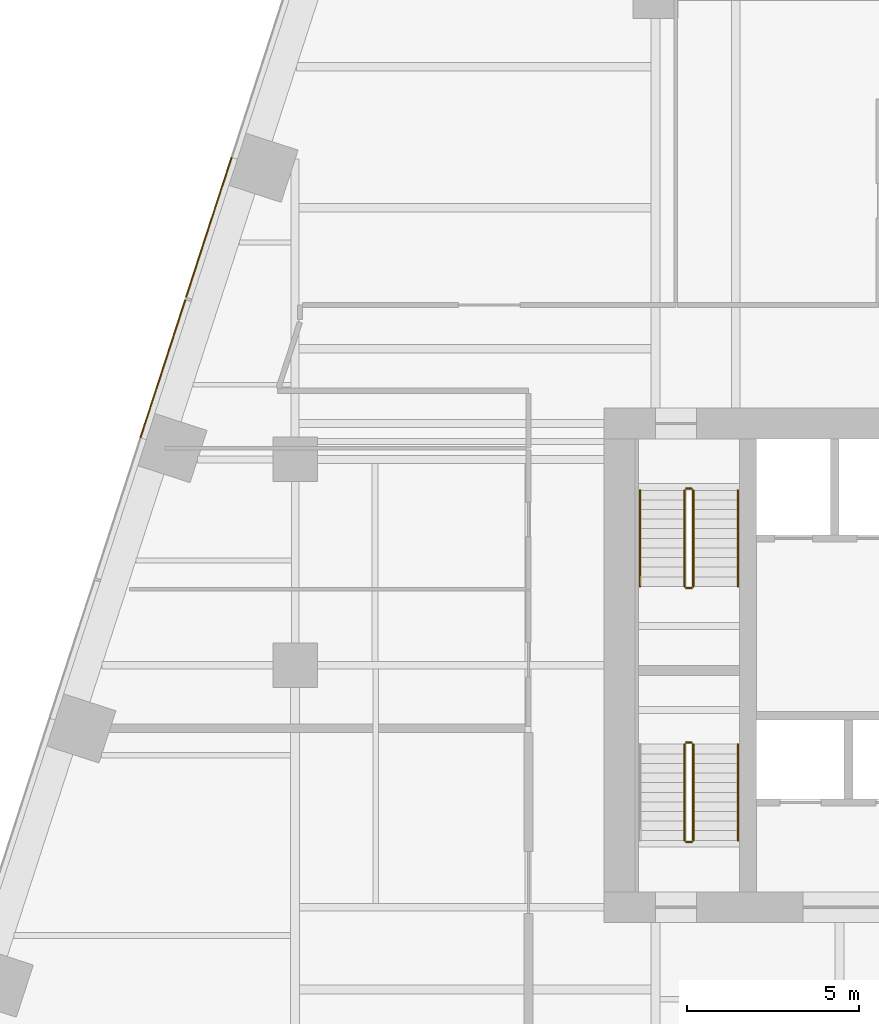
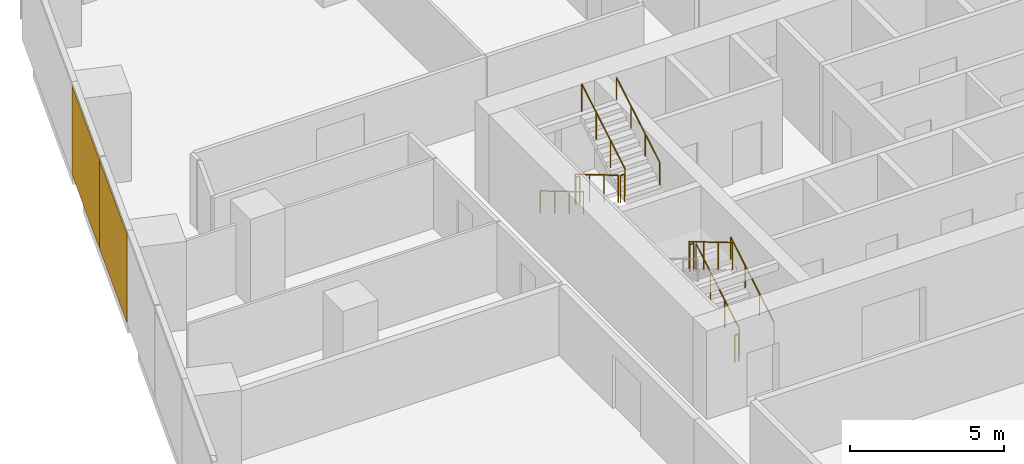
# One storey, part 18 of 19: 11 railings, 2 coverings, 1 element without a shape of its own.
"""IFC4 building model written with IfcOpenShell, lengths in metres."""

from ifc_helpers import new_model, si_unit, direction, frame, origin, origin_2d, place, context, subcontext, project, spatial, rectangle, circle, extrude, material, layer, layer_set, type_object, element, aggregate, save


model = new_model("IFC4")

# Units and contexts
model_context = context("Model", 3, precision=1e-05, world=origin(), true_north=direction((0.0, 1.0)))
body_context = subcontext(model_context, "Body", "Model", "MODEL_VIEW")
ifc_project = project(units=[si_unit("LENGTHUNIT", "METRE"), si_unit("AREAUNIT", "SQUARE_METRE"), si_unit("VOLUMEUNIT", "CUBIC_METRE"), si_unit("PLANEANGLEUNIT", "RADIAN"), si_unit("MASSUNIT", "GRAM", prefix="KILO")], contexts=[model_context])

# Site, building, storey
site_placement = place(None, origin())
site = spatial("IfcSite", under=ifc_project, at=site_placement, CompositionType="ELEMENT")
building_placement = place(site_placement, origin())
building = spatial("IfcBuilding", under=site, at=building_placement, Name="Isthmus Gate Tower", CompositionType="ELEMENT")
storey_placement = place(building_placement, frame((0.0, 0.0, 95.25)))
storey = spatial("IfcBuildingStorey", under=building, at=storey_placement, Name="L22", CompositionType="ELEMENT", Elevation=95.25)

# Curtain wall, coverings
ifc_material_1 = material(Name="Aluminium, pale champagne anodised", Category="aluminium")
ifc_layer_1 = layer(ifc_material_1, 0.199951171875)
ifc_layer_set_1 = layer_set([ifc_layer_1], Name="CW-1 UNITISED CURTAIN WALL 200 DEEP")
curtain_wall_type = type_object("IfcCurtainWallType", Name="CW-1 UNITISED CURTAIN WALL 200 DEEP", PredefinedType="NOTDEFINED", material=ifc_layer_set_1)
curtain_wall_placement = place(storey_placement, origin())
curtain_wall = element("IfcCurtainWall", 1, at=curtain_wall_placement, inside=storey, type_object=curtain_wall_type, Name="CW-1 NW L22", PredefinedType="NOTDEFINED")
ifc_material_2 = material(Name="Aluminium composite panel, pale champagne anodised", Category="aluminium")
ifc_layer_2 = layer(ifc_material_2, 0.0400390625)
ifc_layer_set_2 = layer_set([ifc_layer_2], Name="CW-1 PALE METAL PANEL 40")
covering_type = type_object("IfcCoveringType", Name="CW-1 PALE METAL PANEL 40", PredefinedType="CLADDING", material=ifc_layer_set_2)
covering_1_placement = place(storey_placement, frame((-26.51806640625, 20.25927734375, 0.0), z_axis=(0.0, 0.0, 1.0), x_axis=(-0.309016994375, -0.951056516295, 0.0)))
covering_1 = element("IfcCovering", 2, at=covering_1_placement, type_object=covering_type, Name="CW-1 pale metal panel", PredefinedType="CLADDING", context=body_context, shape_type="SweptSolid", body=[
    extrude(rectangle(XDim=4.294677734375, YDim=0.0400390625, at=origin_2d()), origin(), (0.0, 0.0, 1.0), 3.5),
])
covering_2_placement = place(storey_placement, frame((-27.8544921875, 16.146484375, 0.0), z_axis=(0.0, 0.0, 1.0), x_axis=(-0.309016994375, -0.951056516295, 0.0)))
covering_2 = element("IfcCovering", 3, at=covering_2_placement, type_object=covering_type, Name="CW-1 pale metal panel", PredefinedType="CLADDING", context=body_context, shape_type="SweptSolid", body=[
    extrude(rectangle(XDim=4.234619140625, YDim=0.0400390625, at=origin_2d()), origin(), (0.0, 0.0, 1.0), 3.5),
])
aggregate(curtain_wall, [covering_1, covering_2])

# Railings
ifc_material_3 = material(Name="Stainless steel balustrade", Category="steel")
railing_type_1 = type_object("IfcRailingType", Name="STAIR GUARD 1100", PredefinedType="GUARDRAIL", material=ifc_material_3)
railing_1_placement = place(storey_placement, frame((-12.64990234375, 12.60009765625, 0.166015625)))
element("IfcRailing", 4, at=railing_1_placement, inside=storey, type_object=railing_type_1, Name="L22 ST1 stair guard 1", PredefinedType="GUARDRAIL", context=body_context, shape_type="SweptSolid", body=[
    extrude(circle(Radius=0.02392578125, at=origin_2d()), frame((0.0, 0.0, 1.076171875), z_axis=(0.0, -0.860339051648, 0.50972219513), x_axis=(1.0, 0.0, 0.0)), (0.0, 0.0, 1.0), 3.254638671875),
    extrude(circle(Radius=0.02099609375, at=origin_2d()), origin(), (0.0, 0.0, 1.0), 1.052001953125),
    extrude(circle(Radius=0.02099609375, at=origin_2d()), frame((0.0, -0.933349609375, 0.552978515625)), (0.0, 0.0, 1.0), 1.052001953125),
    extrude(circle(Radius=0.02099609375, at=origin_2d()), frame((0.0, -1.86669921875, 1.10595703125)), (0.0, 0.0, 1.0), 1.052001953125),
    extrude(circle(Radius=0.02099609375, at=origin_2d()), frame((0.0, -2.800048828125, 1.658935546875)), (0.0, 0.0, 1.0), 1.052001953125),
])
railing_2_placement = place(storey_placement, frame((-12.60009765625, 9.75, 1.824951171875)))
element("IfcRailing", 5, at=railing_2_placement, inside=storey, type_object=railing_type_1, Name="L22 ST1 stair guard 2", PredefinedType="GUARDRAIL", context=body_context, shape_type="SweptSolid", body=[
    extrude(circle(Radius=0.02392578125, at=origin_2d()), frame((0.0, 0.0, 1.076171875), z_axis=(1.0, 0.0, 0.0), x_axis=(0.0, 1.0, 0.0)), (0.0, 0.0, 1.0), 0.150146484375),
    extrude(circle(Radius=0.02099609375, at=origin_2d()), origin(), (0.0, 0.0, 1.0), 1.052001953125),
    extrude(circle(Radius=0.02099609375, at=origin_2d()), frame((0.150146484375, 0.0, 0.0)), (0.0, 0.0, 1.0), 1.052001953125),
])
railing_3_placement = place(storey_placement, frame((-12.39990234375, 9.800048828125, 1.990966796875)))
element("IfcRailing", 6, at=railing_3_placement, inside=storey, type_object=railing_type_1, Name="L22 ST1 stair guard 3", PredefinedType="GUARDRAIL", context=body_context, shape_type="SweptSolid", body=[
    extrude(circle(Radius=0.02392578125, at=origin_2d()), frame((0.0, 0.0, 1.076171875), z_axis=(0.0, 0.860339051648, 0.50972219513), x_axis=(-1.0, 0.0, 0.0)), (0.0, 0.0, 1.0), 3.254638671875),
    extrude(circle(Radius=0.02099609375, at=origin_2d()), origin(), (0.0, 0.0, 1.0), 1.052001953125),
    extrude(circle(Radius=0.02099609375, at=origin_2d()), frame((0.0, 0.933349609375, 0.552978515625)), (0.0, 0.0, 1.0), 1.052001953125),
    extrude(circle(Radius=0.02099609375, at=origin_2d()), frame((0.0, 1.86669921875, 1.10595703125)), (0.0, 0.0, 1.0), 1.052001953125),
    extrude(circle(Radius=0.02099609375, at=origin_2d()), frame((0.0, 2.800048828125, 1.658935546875)), (0.0, 0.0, 1.0), 1.052001953125),
])
railing_4_placement = place(storey_placement, frame((-12.60009765625, 12.64990234375, 0.0)))
element("IfcRailing", 7, at=railing_4_placement, inside=storey, type_object=railing_type_1, Name="L22 ST1 stair guard 4", PredefinedType="GUARDRAIL", context=body_context, shape_type="SweptSolid", body=[
    extrude(circle(Radius=0.02392578125, at=origin_2d()), frame((0.0, 0.0, 1.076171875), z_axis=(1.0, 0.0, 0.0), x_axis=(0.0, 1.0, 0.0)), (0.0, 0.0, 1.0), 0.150146484375),
    extrude(circle(Radius=0.02099609375, at=origin_2d()), origin(), (0.0, 0.0, 1.0), 1.052001953125),
    extrude(circle(Radius=0.02099609375, at=origin_2d()), frame((0.150146484375, 0.0, 0.0)), (0.0, 0.0, 1.0), 1.052001953125),
])
railing_5_placement = place(storey_placement, frame((-12.39990234375, 2.39990234375, 0.166015625)))
element("IfcRailing", 8, at=railing_5_placement, inside=storey, type_object=railing_type_1, Name="L22 ST7 stair guard 1", PredefinedType="GUARDRAIL", context=body_context, shape_type="SweptSolid", body=[
    extrude(circle(Radius=0.02392578125, at=origin_2d()), frame((0.0, 0.0, 1.076171875), z_axis=(0.0, 0.860339051648, 0.50972219513), x_axis=(-1.0, 0.0, 0.0)), (0.0, 0.0, 1.0), 3.254638671875),
    extrude(circle(Radius=0.02099609375, at=origin_2d()), origin(), (0.0, 0.0, 1.0), 1.052001953125),
    extrude(circle(Radius=0.02099609375, at=origin_2d()), frame((0.0, 0.933349609375, 0.552978515625)), (0.0, 0.0, 1.0), 1.052001953125),
    extrude(circle(Radius=0.02099609375, at=origin_2d()), frame((0.0, 1.86669921875, 1.10595703125)), (0.0, 0.0, 1.0), 1.052001953125),
    extrude(circle(Radius=0.02099609375, at=origin_2d()), frame((0.0, 2.800048828125, 1.658935546875)), (0.0, 0.0, 1.0), 1.052001953125),
])
railing_6_placement = place(storey_placement, frame((-12.449951171875, 5.25, 1.824951171875)))
element("IfcRailing", 9, at=railing_6_placement, inside=storey, type_object=railing_type_1, Name="L22 ST7 stair guard 2", PredefinedType="GUARDRAIL", context=body_context, shape_type="SweptSolid", body=[
    extrude(circle(Radius=0.02392578125, at=origin_2d()), frame((0.0, 0.0, 1.076171875), z_axis=(-1.0, 0.0, 0.0), x_axis=(0.0, -1.0, 0.0)), (0.0, 0.0, 1.0), 0.150146484375),
    extrude(circle(Radius=0.02099609375, at=origin_2d()), origin(), (0.0, 0.0, 1.0), 1.052001953125),
    extrude(circle(Radius=0.02099609375, at=origin_2d()), frame((-0.150146484375, 0.0, 0.0)), (0.0, 0.0, 1.0), 1.052001953125),
])
railing_7_placement = place(storey_placement, frame((-12.64990234375, 5.199951171875, 1.990966796875)))
element("IfcRailing", 10, at=railing_7_placement, inside=storey, type_object=railing_type_1, Name="L22 ST7 stair guard 3", PredefinedType="GUARDRAIL", context=body_context, shape_type="SweptSolid", body=[
    extrude(circle(Radius=0.02392578125, at=origin_2d()), frame((0.0, 0.0, 1.076171875), z_axis=(0.0, -0.860339051648, 0.50972219513), x_axis=(1.0, 0.0, 0.0)), (0.0, 0.0, 1.0), 3.254638671875),
    extrude(circle(Radius=0.02099609375, at=origin_2d()), origin(), (0.0, 0.0, 1.0), 1.052001953125),
    extrude(circle(Radius=0.02099609375, at=origin_2d()), frame((0.0, -0.933349609375, 0.552978515625)), (0.0, 0.0, 1.0), 1.052001953125),
    extrude(circle(Radius=0.02099609375, at=origin_2d()), frame((0.0, -1.86669921875, 1.10595703125)), (0.0, 0.0, 1.0), 1.052001953125),
    extrude(circle(Radius=0.02099609375, at=origin_2d()), frame((0.0, -2.800048828125, 1.658935546875)), (0.0, 0.0, 1.0), 1.052001953125),
])
railing_8_placement = place(storey_placement, frame((-12.449951171875, 2.35009765625, 0.0)))
element("IfcRailing", 11, at=railing_8_placement, inside=storey, type_object=railing_type_1, Name="L22 ST7 stair guard 4", PredefinedType="GUARDRAIL", context=body_context, shape_type="SweptSolid", body=[
    extrude(circle(Radius=0.02392578125, at=origin_2d()), frame((0.0, 0.0, 1.076171875), z_axis=(-1.0, 0.0, 0.0), x_axis=(0.0, -1.0, 0.0)), (0.0, 0.0, 1.0), 0.150146484375),
    extrude(circle(Radius=0.02099609375, at=origin_2d()), origin(), (0.0, 0.0, 1.0), 1.052001953125),
    extrude(circle(Radius=0.02099609375, at=origin_2d()), frame((-0.150146484375, 0.0, 0.0)), (0.0, 0.0, 1.0), 1.052001953125),
])
ifc_material_4 = material(Name="Stainless steel handrail", Category="steel")
railing_type_2 = type_object("IfcRailingType", Name="STAIR HANDRAIL 900", PredefinedType="HANDRAIL", material=ifc_material_4)
railing_9_placement = place(storey_placement, frame((-13.949951171875, 12.60009765625, 0.166015625)))
element("IfcRailing", 12, at=railing_9_placement, inside=storey, type_object=railing_type_2, Name="L22 ST1 stair handrail 1", PredefinedType="HANDRAIL", context=body_context, shape_type="SweptSolid", body=[
    extrude(circle(Radius=0.02392578125, at=origin_2d()), frame((0.0, 0.0, 0.8759765625), z_axis=(0.0, -0.860339051648, 0.50972219513), x_axis=(1.0, 0.0, 0.0)), (0.0, 0.0, 1.0), 3.254638671875),
    extrude(circle(Radius=0.02099609375, at=origin_2d()), origin(), (0.0, 0.0, 1.0), 0.851806640625),
    extrude(circle(Radius=0.02099609375, at=origin_2d()), frame((0.0, -0.933349609375, 0.552978515625)), (0.0, 0.0, 1.0), 0.851806640625),
    extrude(circle(Radius=0.02099609375, at=origin_2d()), frame((0.0, -1.86669921875, 1.10595703125)), (0.0, 0.0, 1.0), 0.851806640625),
    extrude(circle(Radius=0.02099609375, at=origin_2d()), frame((0.0, -2.800048828125, 1.658935546875)), (0.0, 0.0, 1.0), 0.851806640625),
])
for number, where, name in (
    (13, (-11.10009765625, 9.800048828125, 1.990966796875), "L22 ST1 stair handrail 2"),
    (14, (-11.10009765625, 2.39990234375, 0.166015625), "L22 ST7 stair handrail 1"),
):
    element("IfcRailing", number, at=place(storey_placement, frame(where)), inside=storey, type_object=railing_type_2, Name=name, PredefinedType="HANDRAIL", context=body_context, shape_type="SweptSolid", body=[
        extrude(circle(Radius=0.02392578125, at=origin_2d()), frame((0.0, 0.0, 0.8759765625), z_axis=(0.0, 0.860339051648, 0.50972219513), x_axis=(-1.0, 0.0, 0.0)), (0.0, 0.0, 1.0), 3.254638671875),
        extrude(circle(Radius=0.02099609375, at=origin_2d()), origin(), (0.0, 0.0, 1.0), 0.851806640625),
        extrude(circle(Radius=0.02099609375, at=origin_2d()), frame((0.0, 0.933349609375, 0.552978515625)), (0.0, 0.0, 1.0), 0.851806640625),
        extrude(circle(Radius=0.02099609375, at=origin_2d()), frame((0.0, 1.86669921875, 1.10595703125)), (0.0, 0.0, 1.0), 0.851806640625),
        extrude(circle(Radius=0.02099609375, at=origin_2d()), frame((0.0, 2.800048828125, 1.658935546875)), (0.0, 0.0, 1.0), 0.851806640625),
    ])

save(model, "model.ifc")
